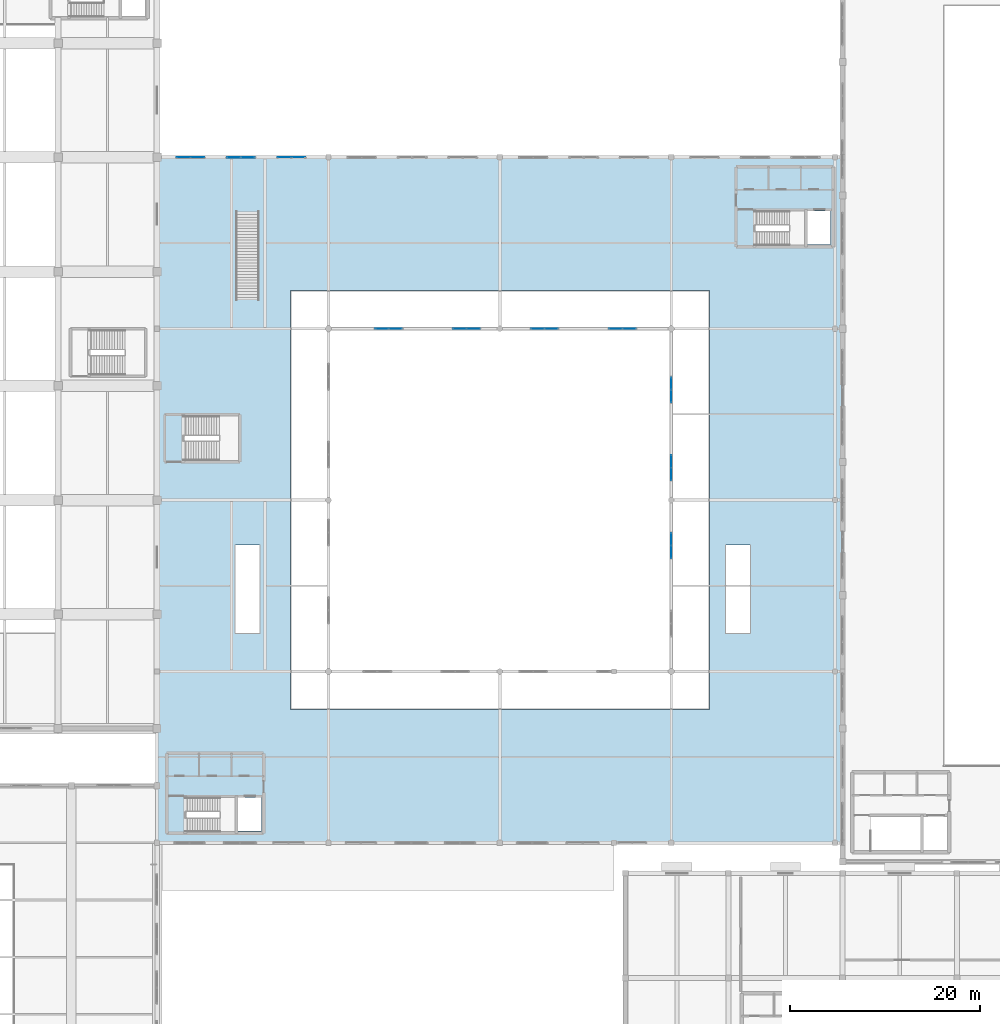
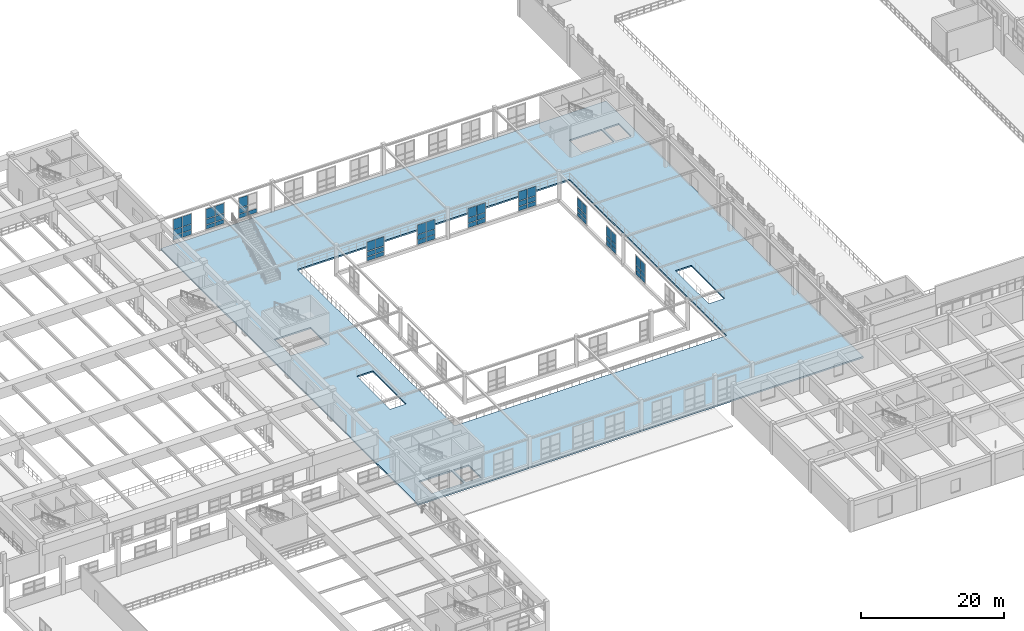
# One storey, part 160 of 197: 58 plates, 1 slab, 10 elements without a shape of their own.
"""IFC4 building model written with IfcOpenShell, lengths in metres."""

from ifc_helpers import new_model, si_unit, derived_unit, direction, frame, origin, origin_2d, place, context, subcontext, project, spatial, polyline, rectangle, outline, extrude, material, layer, layer_set, type_object, element, aggregate, save


model = new_model("IFC4")

# Units and contexts
model_context = context("Model", 3, precision=1e-05, world=origin(), true_north=direction((0.0, 1.0)))
body_context = subcontext(model_context, "Body", "Model", "MODEL_VIEW")
ifc_project = project(units=[si_unit("LENGTHUNIT", "METRE"), si_unit("AREAUNIT", "SQUARE_METRE"), si_unit("VOLUMEUNIT", "CUBIC_METRE"), si_unit("PLANEANGLEUNIT", "RADIAN"), si_unit("MASSUNIT", "GRAM", prefix="KILO"), derived_unit("THERMALTRANSMITTANCEUNIT", [(si_unit("POWERUNIT", "WATT"), 1), (si_unit("LENGTHUNIT", "METRE"), -2), (si_unit("THERMODYNAMICTEMPERATUREUNIT", "KELVIN"), -1)])], contexts=[model_context])

# Site, building, storey
site_placement = place(None, origin())
site = spatial("IfcSite", under=ifc_project, at=site_placement, CompositionType="ELEMENT")
building_placement = place(site_placement, origin())
building = spatial("IfcBuilding", under=site, at=building_placement, Name="Almenara Railside Exhibition Hall", CompositionType="ELEMENT")
storey_placement = place(building_placement, frame((0.0, 0.0, 5.39990234375)))
storey = spatial("IfcBuildingStorey", under=building, at=storey_placement, Name="L01", CompositionType="ELEMENT", Elevation=5.39990234375)

# Curtain wall, plates
ifc_material_1 = material(Name="Bronze-anodised aluminium and low-E double glazing", Category="aluminium")
ifc_layer_1 = layer(ifc_material_1, 0.179931640625, Name="Bronze-anodised aluminium and low-E double glazing")
ifc_layer_set_1 = layer_set([ifc_layer_1], Name="Bronze-anodised aluminium and low-E double glazing")
curtain_wall_type_1 = type_object("IfcCurtainWallType", Name="Courtyard South Galeria Curtain Wall 2700x3400", PredefinedType="NOTDEFINED", material=ifc_layer_set_1)
curtain_wall_1_placement = place(storey_placement, origin())
curtain_wall_1 = element("IfcCurtainWall", 1, at=curtain_wall_1_placement, inside=storey, type_object=curtain_wall_type_1, Name="Curtain wall CW-CY3-150", PredefinedType="NOTDEFINED")
ifc_material_2 = material(Name="Solar-control acoustic laminated glazing", Category="glass")
ifc_layer_2 = layer(ifc_material_2, 0.031982421875, Name="Solar-control acoustic laminated glazing")
ifc_layer_set_2 = layer_set([ifc_layer_2], Name="Solar-control acoustic laminated glazing")
plate_type_1 = type_object("IfcPlateType", Name="Acoustic Low-E Double Glazing Panel 32mm", PredefinedType="CURTAIN_PANEL", material=ifc_layer_set_2)
plate_1_placement = place(storey_placement, frame((120.0, 74.734130859375, 0.674072265625), z_axis=(0.0, 0.0, 1.0), x_axis=(0.0, 1.0, 0.0)))
plate_1 = element("IfcPlate", 2, at=plate_1_placement, type_object=plate_type_1, Name="CW-CY3-150 panel 1.1", PredefinedType="CURTAIN_PANEL", context=body_context, shape_type="SweptSolid", body=[
    extrude(rectangle(XDim=1.283447265625, YDim=0.031982421875, at=origin_2d()), origin(), (0.0, 0.0, 1.0), 0.7470703125),
])
plate_2_placement = place(storey_placement, frame((120.0, 74.734130859375, 1.47900390625), z_axis=(0.0, 0.0, 1.0), x_axis=(0.0, 1.0, 0.0)))
plate_2 = element("IfcPlate", 3, at=plate_2_placement, type_object=plate_type_1, Name="CW-CY3-150 panel 1.2", PredefinedType="CURTAIN_PANEL", context=body_context, shape_type="SweptSolid", body=[
    extrude(rectangle(XDim=1.283447265625, YDim=0.031982421875, at=origin_2d()), origin(), (0.0, 0.0, 1.0), 0.7919921875),
])
plate_3_placement = place(storey_placement, frame((120.0, 74.734130859375, 2.3291015625), z_axis=(0.0, 0.0, 1.0), x_axis=(0.0, 1.0, 0.0)))
plate_3 = element("IfcPlate", 4, at=plate_3_placement, type_object=plate_type_1, Name="CW-CY3-150 panel 1.3", PredefinedType="CURTAIN_PANEL", context=body_context, shape_type="SweptSolid", body=[
    extrude(rectangle(XDim=1.283447265625, YDim=0.031982421875, at=origin_2d()), origin(), (0.0, 0.0, 1.0), 1.596923828125),
])
plate_4_placement = place(storey_placement, frame((120.0, 76.056640625, 0.674072265625), z_axis=(0.0, 0.0, 1.0), x_axis=(0.0, 1.0, 0.0)))
plate_4 = element("IfcPlate", 5, at=plate_4_placement, type_object=plate_type_1, Name="CW-CY3-150 panel 2.1", PredefinedType="CURTAIN_PANEL", context=body_context, shape_type="SweptSolid", body=[
    extrude(rectangle(XDim=1.283447265625, YDim=0.031982421875, at=origin_2d()), origin(), (0.0, 0.0, 1.0), 0.7470703125),
])
plate_5_placement = place(storey_placement, frame((120.0, 76.056640625, 1.47900390625), z_axis=(0.0, 0.0, 1.0), x_axis=(0.0, 1.0, 0.0)))
plate_5 = element("IfcPlate", 6, at=plate_5_placement, type_object=plate_type_1, Name="CW-CY3-150 panel 2.2", PredefinedType="CURTAIN_PANEL", context=body_context, shape_type="SweptSolid", body=[
    extrude(rectangle(XDim=1.283447265625, YDim=0.031982421875, at=origin_2d()), origin(), (0.0, 0.0, 1.0), 0.7919921875),
])
plate_6_placement = place(storey_placement, frame((120.0, 76.056640625, 2.3291015625), z_axis=(0.0, 0.0, 1.0), x_axis=(0.0, 1.0, 0.0)))
plate_6 = element("IfcPlate", 7, at=plate_6_placement, type_object=plate_type_1, Name="CW-CY3-150 panel 2.3", PredefinedType="CURTAIN_PANEL", context=body_context, shape_type="SweptSolid", body=[
    extrude(rectangle(XDim=1.283447265625, YDim=0.031982421875, at=origin_2d()), origin(), (0.0, 0.0, 1.0), 1.596923828125),
])
aggregate(curtain_wall_1, [plate_1, plate_2, plate_3, plate_4, plate_5, plate_6])

ifc_layer_3 = layer(ifc_material_1, 0.179931640625, Name="Bronze-anodised aluminium and low-E double glazing")
ifc_layer_set_3 = layer_set([ifc_layer_3], Name="Bronze-anodised aluminium and low-E double glazing")
curtain_wall_type_2 = type_object("IfcCurtainWallType", Name="Courtyard East Galeria Curtain Wall 2900x3500", PredefinedType="NOTDEFINED", material=ifc_layer_set_3)
curtain_wall_2_placement = place(storey_placement, origin())
curtain_wall_2 = element("IfcCurtainWall", 8, at=curtain_wall_2_placement, inside=storey, type_object=curtain_wall_type_2, Name="Curtain wall CW-CY2-155", PredefinedType="NOTDEFINED")
plate_7_placement = place(storey_placement, frame((91.0302734375, 90.0, 0.744140625), z_axis=(0.0, 0.0, 1.0), x_axis=(-1.0, 0.0, 0.0)))
plate_7 = element("IfcPlate", 9, at=plate_7_placement, type_object=plate_type_1, Name="CW-CY2-155 panel 1.1", PredefinedType="CURTAIN_PANEL", context=body_context, shape_type="SweptSolid", body=[
    extrude(rectangle(XDim=1.361083984375, YDim=0.031982421875, at=origin_2d()), origin(), (0.0, 0.0, 1.0), 0.64208984375),
])
plate_8_placement = place(storey_placement, frame((91.0302734375, 90.0, 1.51416015625), z_axis=(0.0, 0.0, 1.0), x_axis=(-1.0, 0.0, 0.0)))
plate_8 = element("IfcPlate", 10, at=plate_8_placement, type_object=plate_type_1, Name="CW-CY2-155 panel 1.2", PredefinedType="CURTAIN_PANEL", context=body_context, shape_type="SweptSolid", body=[
    extrude(rectangle(XDim=1.361083984375, YDim=0.031982421875, at=origin_2d()), origin(), (0.0, 0.0, 1.0), 0.77197265625),
])
plate_9_placement = place(storey_placement, frame((91.0302734375, 90.0, 2.4140625), z_axis=(0.0, 0.0, 1.0), x_axis=(-1.0, 0.0, 0.0)))
plate_9 = element("IfcPlate", 11, at=plate_9_placement, type_object=plate_type_1, Name="CW-CY2-155 panel 1.3", PredefinedType="CURTAIN_PANEL", context=body_context, shape_type="SweptSolid", body=[
    extrude(rectangle(XDim=1.361083984375, YDim=0.031982421875, at=origin_2d()), origin(), (0.0, 0.0, 1.0), 1.5419921875),
])
plate_10_placement = place(storey_placement, frame((89.615234375, 90.0, 0.744140625), z_axis=(0.0, 0.0, 1.0), x_axis=(-1.0, 0.0, 0.0)))
plate_10 = element("IfcPlate", 12, at=plate_10_placement, type_object=plate_type_1, Name="CW-CY2-155 panel 2.1", PredefinedType="CURTAIN_PANEL", context=body_context, shape_type="SweptSolid", body=[
    extrude(rectangle(XDim=1.361083984375, YDim=0.031982421875, at=origin_2d()), origin(), (0.0, 0.0, 1.0), 0.64208984375),
])
plate_11_placement = place(storey_placement, frame((89.615234375, 90.0, 1.51416015625), z_axis=(0.0, 0.0, 1.0), x_axis=(-1.0, 0.0, 0.0)))
plate_11 = element("IfcPlate", 13, at=plate_11_placement, type_object=plate_type_1, Name="CW-CY2-155 panel 2.2", PredefinedType="CURTAIN_PANEL", context=body_context, shape_type="SweptSolid", body=[
    extrude(rectangle(XDim=1.361083984375, YDim=0.031982421875, at=origin_2d()), origin(), (0.0, 0.0, 1.0), 0.77197265625),
])
plate_12_placement = place(storey_placement, frame((89.615234375, 90.0, 2.4140625), z_axis=(0.0, 0.0, 1.0), x_axis=(-1.0, 0.0, 0.0)))
plate_12 = element("IfcPlate", 14, at=plate_12_placement, type_object=plate_type_1, Name="CW-CY2-155 panel 2.3", PredefinedType="CURTAIN_PANEL", context=body_context, shape_type="SweptSolid", body=[
    extrude(rectangle(XDim=1.361083984375, YDim=0.031982421875, at=origin_2d()), origin(), (0.0, 0.0, 1.0), 1.5419921875),
])
aggregate(curtain_wall_2, [plate_7, plate_8, plate_9, plate_10, plate_11, plate_12])

# Slab
ifc_material_3 = material(Name="Concrete C35/45", Category="concrete")
ifc_layer_4 = layer(ifc_material_3, 0.260009765625, Name="Concrete C35/45")
ifc_layer_set_4 = layer_set([ifc_layer_4], Name="Concrete C35/45")
slab_type = type_object("IfcSlabType", Name="Congress Suspended Slab 260mm C35/45", PredefinedType="FLOOR", material=ifc_layer_set_4)
slab_placement = place(storey_placement, frame((0.0, 0.0, -0.260009765625)))
element("IfcSlab", 15, at=slab_placement, inside=storey, type_object=slab_type, Name="Upper Concourse ring 014", PredefinedType="FLOOR", context=body_context, shape_type="SweptSolid", body=[
    extrude(outline(polyline([(66.0, 36.0), (138.0, 36.0), (138.0, 108.0), (66.0, 108.0), (66.0, 36.0)]), holes=[polyline([(68.95068359375, 37.25), (74.199951171875, 37.25), (74.199951171875, 40.739990234375), (68.95068359375, 40.739990234375), (68.95068359375, 37.25)]), polyline([(74.5, 37.25), (76.949951171875, 37.25), (76.949951171875, 40.739990234375), (74.5, 40.739990234375), (74.5, 37.25)]), polyline([(128.750732421875, 98.85009765625), (134.0, 98.85009765625), (134.0, 102.340087890625), (128.750732421875, 102.340087890625), (128.750732421875, 98.85009765625)]), polyline([(134.300048828125, 98.85009765625), (136.75, 98.85009765625), (136.75, 102.340087890625), (134.300048828125, 102.340087890625), (134.300048828125, 98.85009765625)]), polyline([(80.0, 50.0), (124.0, 50.0), (124.0, 94.0), (80.0, 94.0), (80.0, 50.0)]), polyline([(74.199951171875, 58.0), (76.800048828125, 58.0), (76.800048828125, 67.29931640625), (74.199951171875, 67.29931640625), (74.199951171875, 58.0)]), polyline([(125.699951171875, 58.0), (128.300048828125, 58.0), (128.300048828125, 67.29931640625), (125.699951171875, 67.29931640625), (125.699951171875, 58.0)]), polyline([(68.750732421875, 76.25), (74.550048828125, 76.25), (74.550048828125, 80.85009765625), (68.750732421875, 80.85009765625), (68.750732421875, 76.25)])]), origin(), (0.0, 0.0, 1.0), 0.260009765625),
])

# Curtain wall, plates
ifc_layer_5 = layer(ifc_material_1, 0.179931640625, Name="Bronze-anodised aluminium and low-E double glazing")
ifc_layer_set_5 = layer_set([ifc_layer_5], Name="Bronze-anodised aluminium and low-E double glazing")
curtain_wall_type_3 = type_object("IfcCurtainWallType", Name="Courtyard North Galeria Curtain Wall 3000x3700", PredefinedType="NOTDEFINED", material=ifc_layer_set_5)
curtain_wall_3_placement = place(storey_placement, origin())
curtain_wall_3 = element("IfcCurtainWall", 16, at=curtain_wall_3_placement, inside=storey, type_object=curtain_wall_type_3, Name="Curtain wall CW-CY1-122", PredefinedType="NOTDEFINED")
ifc_material_4 = material(Name="Clear low-E laminated double glazing", Category="glass")
ifc_layer_6 = layer(ifc_material_4, 0.02392578125, Name="Clear low-E laminated double glazing")
ifc_layer_set_6 = layer_set([ifc_layer_6], Name="Clear low-E laminated double glazing")
plate_type_2 = type_object("IfcPlateType", Name="Courtyard Clear Double Glazing Panel 24mm", PredefinedType="CURTAIN_PANEL", material=ifc_layer_set_6)
plate_13_placement = place(storey_placement, frame((68.763671875, 108.0, 0.674072265625), z_axis=(0.0, 0.0, 1.0), x_axis=(1.0, 0.0, 0.0)))
plate_13 = element("IfcPlate", 17, at=plate_13_placement, type_object=plate_type_2, Name="CW-CY1-122 panel 1.1", PredefinedType="CURTAIN_PANEL", context=body_context, shape_type="SweptSolid", body=[
    extrude(rectangle(XDim=1.43359375, YDim=0.02392578125, at=origin_2d()), origin(), (0.0, 0.0, 1.0), 0.7470703125),
])
plate_14_placement = place(storey_placement, frame((68.763671875, 108.0, 1.479248046875), z_axis=(0.0, 0.0, 1.0), x_axis=(1.0, 0.0, 0.0)))
plate_14 = element("IfcPlate", 18, at=plate_14_placement, type_object=plate_type_2, Name="CW-CY1-122 panel 1.2", PredefinedType="CURTAIN_PANEL", context=body_context, shape_type="SweptSolid", body=[
    extrude(rectangle(XDim=1.43359375, YDim=0.02392578125, at=origin_2d()), origin(), (0.0, 0.0, 1.0), 0.94189453125),
])
plate_15_placement = place(storey_placement, frame((68.763671875, 108.0, 2.47900390625), z_axis=(0.0, 0.0, 1.0), x_axis=(1.0, 0.0, 0.0)))
plate_15 = element("IfcPlate", 19, at=plate_15_placement, type_object=plate_type_2, Name="CW-CY1-122 panel 1.3", PredefinedType="CURTAIN_PANEL", context=body_context, shape_type="SweptSolid", body=[
    extrude(rectangle(XDim=1.43359375, YDim=0.02392578125, at=origin_2d()), origin(), (0.0, 0.0, 1.0), 1.7470703125),
])
plate_16_placement = place(storey_placement, frame((70.236328125, 108.0, 0.674072265625), z_axis=(0.0, 0.0, 1.0), x_axis=(1.0, 0.0, 0.0)))
plate_16 = element("IfcPlate", 20, at=plate_16_placement, type_object=plate_type_2, Name="CW-CY1-122 panel 2.1", PredefinedType="CURTAIN_PANEL", context=body_context, shape_type="SweptSolid", body=[
    extrude(rectangle(XDim=1.43359375, YDim=0.02392578125, at=origin_2d()), origin(), (0.0, 0.0, 1.0), 0.7470703125),
])
plate_17_placement = place(storey_placement, frame((70.236328125, 108.0, 1.479248046875), z_axis=(0.0, 0.0, 1.0), x_axis=(1.0, 0.0, 0.0)))
plate_17 = element("IfcPlate", 21, at=plate_17_placement, type_object=plate_type_2, Name="CW-CY1-122 panel 2.2", PredefinedType="CURTAIN_PANEL", context=body_context, shape_type="SweptSolid", body=[
    extrude(rectangle(XDim=1.43359375, YDim=0.02392578125, at=origin_2d()), origin(), (0.0, 0.0, 1.0), 0.94189453125),
])
plate_18_placement = place(storey_placement, frame((70.236328125, 108.0, 2.47900390625), z_axis=(0.0, 0.0, 1.0), x_axis=(1.0, 0.0, 0.0)))
plate_18 = element("IfcPlate", 22, at=plate_18_placement, type_object=plate_type_2, Name="CW-CY1-122 panel 2.3", PredefinedType="CURTAIN_PANEL", context=body_context, shape_type="SweptSolid", body=[
    extrude(rectangle(XDim=1.43359375, YDim=0.02392578125, at=origin_2d()), origin(), (0.0, 0.0, 1.0), 1.7470703125),
])
aggregate(curtain_wall_3, [plate_13, plate_14, plate_15, plate_16, plate_17, plate_18])

curtain_wall_4_placement = place(storey_placement, origin())
curtain_wall_4 = element("IfcCurtainWall", 23, at=curtain_wall_4_placement, inside=storey, type_object=curtain_wall_type_2, Name="Curtain wall CW-CY2-152", PredefinedType="NOTDEFINED")
plate_19_placement = place(storey_placement, frame((115.576904296875, 90.0, 0.72412109375), z_axis=(0.0, 0.0, 1.0), x_axis=(-1.0, 0.0, 0.0)))
plate_19 = element("IfcPlate", 24, at=plate_19_placement, type_object=plate_type_2, Name="CW-CY2-152 panel 1.1", PredefinedType="CURTAIN_PANEL", context=body_context, shape_type="SweptSolid", body=[
    extrude(rectangle(XDim=1.368408203125, YDim=0.02392578125, at=origin_2d()), origin(), (0.0, 0.0, 1.0), 0.672119140625),
])
plate_20_placement = place(storey_placement, frame((115.576904296875, 90.0, 1.504150390625), z_axis=(0.0, 0.0, 1.0), x_axis=(-1.0, 0.0, 0.0)))
plate_20 = element("IfcPlate", 25, at=plate_20_placement, type_object=plate_type_2, Name="CW-CY2-152 panel 1.2", PredefinedType="CURTAIN_PANEL", context=body_context, shape_type="SweptSolid", body=[
    extrude(rectangle(XDim=1.368408203125, YDim=0.02392578125, at=origin_2d()), origin(), (0.0, 0.0, 1.0), 0.7919921875),
])
plate_21_placement = place(storey_placement, frame((115.576904296875, 90.0, 2.404296875), z_axis=(0.0, 0.0, 1.0), x_axis=(-1.0, 0.0, 0.0)))
plate_21 = element("IfcPlate", 26, at=plate_21_placement, type_object=plate_type_2, Name="CW-CY2-152 panel 1.3", PredefinedType="CURTAIN_PANEL", context=body_context, shape_type="SweptSolid", body=[
    extrude(rectangle(XDim=1.368408203125, YDim=0.02392578125, at=origin_2d()), origin(), (0.0, 0.0, 1.0), 1.572021484375),
])
plate_22_placement = place(storey_placement, frame((114.159423828125, 90.0, 0.72412109375), z_axis=(0.0, 0.0, 1.0), x_axis=(-1.0, 0.0, 0.0)))
plate_22 = element("IfcPlate", 27, at=plate_22_placement, type_object=plate_type_2, Name="CW-CY2-152 panel 2.1", PredefinedType="CURTAIN_PANEL", context=body_context, shape_type="SweptSolid", body=[
    extrude(rectangle(XDim=1.368408203125, YDim=0.02392578125, at=origin_2d()), origin(), (0.0, 0.0, 1.0), 0.672119140625),
])
plate_23_placement = place(storey_placement, frame((114.159423828125, 90.0, 1.504150390625), z_axis=(0.0, 0.0, 1.0), x_axis=(-1.0, 0.0, 0.0)))
plate_23 = element("IfcPlate", 28, at=plate_23_placement, type_object=plate_type_2, Name="CW-CY2-152 panel 2.2", PredefinedType="CURTAIN_PANEL", context=body_context, shape_type="SweptSolid", body=[
    extrude(rectangle(XDim=1.368408203125, YDim=0.02392578125, at=origin_2d()), origin(), (0.0, 0.0, 1.0), 0.7919921875),
])
plate_24_placement = place(storey_placement, frame((114.159423828125, 90.0, 2.404296875), z_axis=(0.0, 0.0, 1.0), x_axis=(-1.0, 0.0, 0.0)))
plate_24 = element("IfcPlate", 29, at=plate_24_placement, type_object=plate_type_2, Name="CW-CY2-152 panel 2.3", PredefinedType="CURTAIN_PANEL", context=body_context, shape_type="SweptSolid", body=[
    extrude(rectangle(XDim=1.368408203125, YDim=0.02392578125, at=origin_2d()), origin(), (0.0, 0.0, 1.0), 1.572021484375),
])
aggregate(curtain_wall_4, [plate_19, plate_20, plate_21, plate_22, plate_23, plate_24])

curtain_wall_5_placement = place(storey_placement, origin())
curtain_wall_5 = element("IfcCurtainWall", 30, at=curtain_wall_5_placement, inside=storey, type_object=curtain_wall_type_3, Name="Curtain wall CW-CY1-123", PredefinedType="NOTDEFINED")
ifc_material_5 = material(Name="Bronze-anodised insulated aluminium spandrel", Category="aluminium")
ifc_layer_7 = layer(ifc_material_5, 0.0400390625, Name="Bronze-anodised insulated aluminium spandrel")
ifc_layer_set_7 = layer_set([ifc_layer_7], Name="Bronze-anodised insulated aluminium spandrel")
plate_type_3 = type_object("IfcPlateType", Name="Insulated Bronze Spandrel Panel 40mm", PredefinedType="CURTAIN_PANEL", material=ifc_layer_set_7)
plate_25_placement = place(storey_placement, frame((74.0673828125, 108.0, 0.744140625), z_axis=(0.0, 0.0, 1.0), x_axis=(1.0, 0.0, 0.0)))
plate_25 = element("IfcPlate", 31, at=plate_25_placement, type_object=plate_type_3, Name="CW-CY1-123 panel 1.1", PredefinedType="CURTAIN_PANEL", context=body_context, shape_type="SweptSolid", body=[
    extrude(rectangle(XDim=1.410888671875, YDim=0.0400390625, at=origin_2d()), origin(), (0.0, 0.0, 1.0), 0.64208984375),
])
plate_26_placement = place(storey_placement, frame((74.0673828125, 108.0, 1.51416015625), z_axis=(0.0, 0.0, 1.0), x_axis=(1.0, 0.0, 0.0)))
plate_26 = element("IfcPlate", 32, at=plate_26_placement, type_object=plate_type_3, Name="CW-CY1-123 panel 1.2", PredefinedType="CURTAIN_PANEL", context=body_context, shape_type="SweptSolid", body=[
    extrude(rectangle(XDim=1.410888671875, YDim=0.0400390625, at=origin_2d()), origin(), (0.0, 0.0, 1.0), 0.8720703125),
])
plate_27_placement = place(storey_placement, frame((74.0673828125, 108.0, 2.51416015625), z_axis=(0.0, 0.0, 1.0), x_axis=(1.0, 0.0, 0.0)))
plate_27 = element("IfcPlate", 33, at=plate_27_placement, type_object=plate_type_3, Name="CW-CY1-123 panel 1.3", PredefinedType="CURTAIN_PANEL", context=body_context, shape_type="SweptSolid", body=[
    extrude(rectangle(XDim=1.410888671875, YDim=0.0400390625, at=origin_2d()), origin(), (0.0, 0.0, 1.0), 1.64208984375),
])
plate_28_placement = place(storey_placement, frame((75.532470703125, 108.0, 0.744140625), z_axis=(0.0, 0.0, 1.0), x_axis=(1.0, 0.0, 0.0)))
plate_28 = element("IfcPlate", 34, at=plate_28_placement, type_object=plate_type_3, Name="CW-CY1-123 panel 2.1", PredefinedType="CURTAIN_PANEL", context=body_context, shape_type="SweptSolid", body=[
    extrude(rectangle(XDim=1.410888671875, YDim=0.0400390625, at=origin_2d()), origin(), (0.0, 0.0, 1.0), 0.64208984375),
])
plate_29_placement = place(storey_placement, frame((75.532470703125, 108.0, 1.51416015625), z_axis=(0.0, 0.0, 1.0), x_axis=(1.0, 0.0, 0.0)))
plate_29 = element("IfcPlate", 35, at=plate_29_placement, type_object=plate_type_3, Name="CW-CY1-123 panel 2.2", PredefinedType="CURTAIN_PANEL", context=body_context, shape_type="SweptSolid", body=[
    extrude(rectangle(XDim=1.410888671875, YDim=0.0400390625, at=origin_2d()), origin(), (0.0, 0.0, 1.0), 0.8720703125),
])
plate_30_placement = place(storey_placement, frame((75.532470703125, 108.0, 2.51416015625), z_axis=(0.0, 0.0, 1.0), x_axis=(1.0, 0.0, 0.0)))
plate_30 = element("IfcPlate", 36, at=plate_30_placement, type_object=plate_type_3, Name="CW-CY1-123 panel 2.3", PredefinedType="CURTAIN_PANEL", context=body_context, shape_type="SweptSolid", body=[
    extrude(rectangle(XDim=1.410888671875, YDim=0.0400390625, at=origin_2d()), origin(), (0.0, 0.0, 1.0), 1.64208984375),
])
aggregate(curtain_wall_5, [plate_25, plate_26, plate_27, plate_28, plate_29, plate_30])

curtain_wall_6_placement = place(storey_placement, origin())
curtain_wall_6 = element("IfcCurtainWall", 37, at=curtain_wall_6_placement, inside=storey, type_object=curtain_wall_type_2, Name="Curtain wall CW-CY2-153", PredefinedType="NOTDEFINED")
plate_31_placement = place(storey_placement, frame((107.396484375, 90.0, 0.69384765625), z_axis=(0.0, 0.0, 1.0), x_axis=(-1.0, 0.0, 0.0)))
plate_31 = element("IfcPlate", 38, at=plate_31_placement, type_object=plate_type_3, Name="CW-CY2-153 panel 1.1", PredefinedType="CURTAIN_PANEL", context=body_context, shape_type="SweptSolid", body=[
    extrude(rectangle(XDim=1.3759765625, YDim=0.0400390625, at=origin_2d()), origin(), (0.0, 0.0, 1.0), 0.717041015625),
])
plate_32_placement = place(storey_placement, frame((107.396484375, 90.0, 1.4892578125), z_axis=(0.0, 0.0, 1.0), x_axis=(-1.0, 0.0, 0.0)))
plate_32 = element("IfcPlate", 39, at=plate_32_placement, type_object=plate_type_3, Name="CW-CY2-153 panel 1.2", PredefinedType="CURTAIN_PANEL", context=body_context, shape_type="SweptSolid", body=[
    extrude(rectangle(XDim=1.3759765625, YDim=0.0400390625, at=origin_2d()), origin(), (0.0, 0.0, 1.0), 0.822021484375),
])
plate_33_placement = place(storey_placement, frame((107.396484375, 90.0, 2.38916015625), z_axis=(0.0, 0.0, 1.0), x_axis=(-1.0, 0.0, 0.0)))
plate_33 = element("IfcPlate", 40, at=plate_33_placement, type_object=plate_type_3, Name="CW-CY2-153 panel 1.3", PredefinedType="CURTAIN_PANEL", context=body_context, shape_type="SweptSolid", body=[
    extrude(rectangle(XDim=1.3759765625, YDim=0.0400390625, at=origin_2d()), origin(), (0.0, 0.0, 1.0), 1.616943359375),
])
plate_34_placement = place(storey_placement, frame((105.976318359375, 90.0, 0.69384765625), z_axis=(0.0, 0.0, 1.0), x_axis=(-1.0, 0.0, 0.0)))
plate_34 = element("IfcPlate", 41, at=plate_34_placement, type_object=plate_type_3, Name="CW-CY2-153 panel 2.1", PredefinedType="CURTAIN_PANEL", context=body_context, shape_type="SweptSolid", body=[
    extrude(rectangle(XDim=1.3759765625, YDim=0.0400390625, at=origin_2d()), origin(), (0.0, 0.0, 1.0), 0.717041015625),
])
plate_35_placement = place(storey_placement, frame((105.976318359375, 90.0, 1.4892578125), z_axis=(0.0, 0.0, 1.0), x_axis=(-1.0, 0.0, 0.0)))
plate_35 = element("IfcPlate", 42, at=plate_35_placement, type_object=plate_type_3, Name="CW-CY2-153 panel 2.2", PredefinedType="CURTAIN_PANEL", context=body_context, shape_type="SweptSolid", body=[
    extrude(rectangle(XDim=1.3759765625, YDim=0.0400390625, at=origin_2d()), origin(), (0.0, 0.0, 1.0), 0.822021484375),
])
plate_36_placement = place(storey_placement, frame((105.976318359375, 90.0, 2.38916015625), z_axis=(0.0, 0.0, 1.0), x_axis=(-1.0, 0.0, 0.0)))
plate_36 = element("IfcPlate", 43, at=plate_36_placement, type_object=plate_type_3, Name="CW-CY2-153 panel 2.3", PredefinedType="CURTAIN_PANEL", context=body_context, shape_type="SweptSolid", body=[
    extrude(rectangle(XDim=1.3759765625, YDim=0.0400390625, at=origin_2d()), origin(), (0.0, 0.0, 1.0), 1.616943359375),
])
aggregate(curtain_wall_6, [plate_31, plate_32, plate_33, plate_34, plate_35, plate_36])

curtain_wall_7_placement = place(storey_placement, origin())
curtain_wall_7 = element("IfcCurtainWall", 44, at=curtain_wall_7_placement, inside=storey, type_object=curtain_wall_type_3, Name="Curtain wall CW-CY1-124", PredefinedType="NOTDEFINED")
ifc_layer_8 = layer(ifc_material_5, 0.034912109375, Name="Bronze-anodised insulated aluminium spandrel")
ifc_layer_set_8 = layer_set([ifc_layer_8], Name="Bronze-anodised insulated aluminium spandrel")
plate_type_4 = type_object("IfcPlateType", Name="Insulated Stucco-Tone Spandrel Panel 35mm", PredefinedType="CURTAIN_PANEL", material=ifc_layer_set_8)
plate_37_placement = place(storey_placement, frame((79.3662109375, 108.0, 0.72412109375), z_axis=(0.0, 0.0, 1.0), x_axis=(1.0, 0.0, 0.0)))
plate_37 = element("IfcPlate", 45, at=plate_37_placement, type_object=plate_type_4, Name="CW-CY1-124 panel 1.1", PredefinedType="CURTAIN_PANEL", context=body_context, shape_type="SweptSolid", body=[
    extrude(rectangle(XDim=1.41845703125, YDim=0.034912109375, at=origin_2d()), origin(), (0.0, 0.0, 1.0), 0.672119140625),
])
plate_38_placement = place(storey_placement, frame((79.3662109375, 108.0, 1.504150390625), z_axis=(0.0, 0.0, 1.0), x_axis=(1.0, 0.0, 0.0)))
plate_38 = element("IfcPlate", 46, at=plate_38_placement, type_object=plate_type_4, Name="CW-CY1-124 panel 1.2", PredefinedType="CURTAIN_PANEL", context=body_context, shape_type="SweptSolid", body=[
    extrude(rectangle(XDim=1.41845703125, YDim=0.034912109375, at=origin_2d()), origin(), (0.0, 0.0, 1.0), 0.89208984375),
])
plate_39_placement = place(storey_placement, frame((79.3662109375, 108.0, 2.50390625), z_axis=(0.0, 0.0, 1.0), x_axis=(1.0, 0.0, 0.0)))
plate_39 = element("IfcPlate", 47, at=plate_39_placement, type_object=plate_type_4, Name="CW-CY1-124 panel 1.3", PredefinedType="CURTAIN_PANEL", context=body_context, shape_type="SweptSolid", body=[
    extrude(rectangle(XDim=1.41845703125, YDim=0.034912109375, at=origin_2d()), origin(), (0.0, 0.0, 1.0), 1.672119140625),
])
plate_40_placement = place(storey_placement, frame((80.833740234375, 108.0, 0.72412109375), z_axis=(0.0, 0.0, 1.0), x_axis=(1.0, 0.0, 0.0)))
plate_40 = element("IfcPlate", 48, at=plate_40_placement, type_object=plate_type_4, Name="CW-CY1-124 panel 2.1", PredefinedType="CURTAIN_PANEL", context=body_context, shape_type="SweptSolid", body=[
    extrude(rectangle(XDim=1.41845703125, YDim=0.034912109375, at=origin_2d()), origin(), (0.0, 0.0, 1.0), 0.672119140625),
])
aggregate(curtain_wall_7, [plate_37, plate_38, plate_39, plate_40])

curtain_wall_8_placement = place(storey_placement, origin())
curtain_wall_8 = element("IfcCurtainWall", 49, at=curtain_wall_8_placement, inside=storey, type_object=curtain_wall_type_1, Name="Curtain wall CW-CY3-149", PredefinedType="NOTDEFINED")
plate_41_placement = place(storey_placement, frame((120.0, 66.5537109375, 0.69384765625), z_axis=(0.0, 0.0, 1.0), x_axis=(0.0, 1.0, 0.0)))
plate_41 = element("IfcPlate", 50, at=plate_41_placement, type_object=plate_type_4, Name="CW-CY3-149 panel 1.1", PredefinedType="CURTAIN_PANEL", context=body_context, shape_type="SweptSolid", body=[
    extrude(rectangle(XDim=1.27587890625, YDim=0.034912109375, at=origin_2d()), origin(), (0.0, 0.0, 1.0), 0.717041015625),
])
plate_42_placement = place(storey_placement, frame((120.0, 66.5537109375, 1.489013671875), z_axis=(0.0, 0.0, 1.0), x_axis=(0.0, 1.0, 0.0)))
plate_42 = element("IfcPlate", 51, at=plate_42_placement, type_object=plate_type_4, Name="CW-CY3-149 panel 1.2", PredefinedType="CURTAIN_PANEL", context=body_context, shape_type="SweptSolid", body=[
    extrude(rectangle(XDim=1.27587890625, YDim=0.034912109375, at=origin_2d()), origin(), (0.0, 0.0, 1.0), 0.77197265625),
])
plate_43_placement = place(storey_placement, frame((120.0, 66.5537109375, 2.339111328125), z_axis=(0.0, 0.0, 1.0), x_axis=(0.0, 1.0, 0.0)))
plate_43 = element("IfcPlate", 52, at=plate_43_placement, type_object=plate_type_4, Name="CW-CY3-149 panel 1.3", PredefinedType="CURTAIN_PANEL", context=body_context, shape_type="SweptSolid", body=[
    extrude(rectangle(XDim=1.27587890625, YDim=0.034912109375, at=origin_2d()), origin(), (0.0, 0.0, 1.0), 1.56689453125),
])
plate_44_placement = place(storey_placement, frame((120.0, 67.87353515625, 0.69384765625), z_axis=(0.0, 0.0, 1.0), x_axis=(0.0, 1.0, 0.0)))
plate_44 = element("IfcPlate", 53, at=plate_44_placement, type_object=plate_type_4, Name="CW-CY3-149 panel 2.1", PredefinedType="CURTAIN_PANEL", context=body_context, shape_type="SweptSolid", body=[
    extrude(rectangle(XDim=1.27587890625, YDim=0.034912109375, at=origin_2d()), origin(), (0.0, 0.0, 1.0), 0.717041015625),
])
plate_45_placement = place(storey_placement, frame((120.0, 67.87353515625, 1.489013671875), z_axis=(0.0, 0.0, 1.0), x_axis=(0.0, 1.0, 0.0)))
plate_45 = element("IfcPlate", 54, at=plate_45_placement, type_object=plate_type_4, Name="CW-CY3-149 panel 2.2", PredefinedType="CURTAIN_PANEL", context=body_context, shape_type="SweptSolid", body=[
    extrude(rectangle(XDim=1.27587890625, YDim=0.034912109375, at=origin_2d()), origin(), (0.0, 0.0, 1.0), 0.77197265625),
])
plate_46_placement = place(storey_placement, frame((120.0, 67.87353515625, 2.339111328125), z_axis=(0.0, 0.0, 1.0), x_axis=(0.0, 1.0, 0.0)))
plate_46 = element("IfcPlate", 55, at=plate_46_placement, type_object=plate_type_4, Name="CW-CY3-149 panel 2.3", PredefinedType="CURTAIN_PANEL", context=body_context, shape_type="SweptSolid", body=[
    extrude(rectangle(XDim=1.27587890625, YDim=0.034912109375, at=origin_2d()), origin(), (0.0, 0.0, 1.0), 1.56689453125),
])
aggregate(curtain_wall_8, [plate_41, plate_42, plate_43, plate_44, plate_45, plate_46])

curtain_wall_9_placement = place(storey_placement, origin())
curtain_wall_9 = element("IfcCurtainWall", 56, at=curtain_wall_9_placement, inside=storey, type_object=curtain_wall_type_2, Name="Curtain wall CW-CY2-154", PredefinedType="NOTDEFINED")
plate_47_placement = place(storey_placement, frame((99.2158203125, 90.0, 0.674072265625), z_axis=(0.0, 0.0, 1.0), x_axis=(-1.0, 0.0, 0.0)))
plate_47 = element("IfcPlate", 57, at=plate_47_placement, type_object=plate_type_4, Name="CW-CY2-154 panel 1.1", PredefinedType="CURTAIN_PANEL", context=body_context, shape_type="SweptSolid", body=[
    extrude(rectangle(XDim=1.383544921875, YDim=0.034912109375, at=origin_2d()), origin(), (0.0, 0.0, 1.0), 0.7470703125),
])
plate_48_placement = place(storey_placement, frame((99.2158203125, 90.0, 1.47900390625), z_axis=(0.0, 0.0, 1.0), x_axis=(-1.0, 0.0, 0.0)))
plate_48 = element("IfcPlate", 58, at=plate_48_placement, type_object=plate_type_4, Name="CW-CY2-154 panel 1.2", PredefinedType="CURTAIN_PANEL", context=body_context, shape_type="SweptSolid", body=[
    extrude(rectangle(XDim=1.383544921875, YDim=0.034912109375, at=origin_2d()), origin(), (0.0, 0.0, 1.0), 0.842041015625),
])
plate_49_placement = place(storey_placement, frame((99.2158203125, 90.0, 2.379150390625), z_axis=(0.0, 0.0, 1.0), x_axis=(-1.0, 0.0, 0.0)))
plate_49 = element("IfcPlate", 59, at=plate_49_placement, type_object=plate_type_4, Name="CW-CY2-154 panel 1.3", PredefinedType="CURTAIN_PANEL", context=body_context, shape_type="SweptSolid", body=[
    extrude(rectangle(XDim=1.383544921875, YDim=0.034912109375, at=origin_2d()), origin(), (0.0, 0.0, 1.0), 1.64697265625),
])
plate_50_placement = place(storey_placement, frame((97.793212890625, 90.0, 0.674072265625), z_axis=(0.0, 0.0, 1.0), x_axis=(-1.0, 0.0, 0.0)))
plate_50 = element("IfcPlate", 60, at=plate_50_placement, type_object=plate_type_4, Name="CW-CY2-154 panel 2.1", PredefinedType="CURTAIN_PANEL", context=body_context, shape_type="SweptSolid", body=[
    extrude(rectangle(XDim=1.383544921875, YDim=0.034912109375, at=origin_2d()), origin(), (0.0, 0.0, 1.0), 0.7470703125),
])
plate_51_placement = place(storey_placement, frame((97.793212890625, 90.0, 1.47900390625), z_axis=(0.0, 0.0, 1.0), x_axis=(-1.0, 0.0, 0.0)))
plate_51 = element("IfcPlate", 61, at=plate_51_placement, type_object=plate_type_4, Name="CW-CY2-154 panel 2.2", PredefinedType="CURTAIN_PANEL", context=body_context, shape_type="SweptSolid", body=[
    extrude(rectangle(XDim=1.383544921875, YDim=0.034912109375, at=origin_2d()), origin(), (0.0, 0.0, 1.0), 0.842041015625),
])
plate_52_placement = place(storey_placement, frame((97.793212890625, 90.0, 2.379150390625), z_axis=(0.0, 0.0, 1.0), x_axis=(-1.0, 0.0, 0.0)))
plate_52 = element("IfcPlate", 62, at=plate_52_placement, type_object=plate_type_4, Name="CW-CY2-154 panel 2.3", PredefinedType="CURTAIN_PANEL", context=body_context, shape_type="SweptSolid", body=[
    extrude(rectangle(XDim=1.383544921875, YDim=0.034912109375, at=origin_2d()), origin(), (0.0, 0.0, 1.0), 1.64697265625),
])
aggregate(curtain_wall_9, [plate_47, plate_48, plate_49, plate_50, plate_51, plate_52])

curtain_wall_10_placement = place(storey_placement, origin())
curtain_wall_10 = element("IfcCurtainWall", 63, at=curtain_wall_10_placement, inside=storey, type_object=curtain_wall_type_1, Name="Curtain wall CW-CY3-151", PredefinedType="NOTDEFINED")
ifc_material_6 = material(Name="Solar-control low-E laminated double glazing", Category="glass")
ifc_layer_9 = layer(ifc_material_6, 0.028076171875, Name="Solar-control low-E laminated double glazing")
ifc_layer_set_9 = layer_set([ifc_layer_9], Name="Solar-control low-E laminated double glazing")
plate_type_5 = type_object("IfcPlateType", Name="Low-E Solar Control Double Glazing Panel 28mm", PredefinedType="CURTAIN_PANEL", material=ifc_layer_set_9)
plate_53_placement = place(storey_placement, frame((120.0, 82.919921875, 0.744140625), z_axis=(0.0, 0.0, 1.0), x_axis=(0.0, 1.0, 0.0)))
plate_53 = element("IfcPlate", 64, at=plate_53_placement, type_object=plate_type_5, Name="CW-CY3-151 panel 1.1", PredefinedType="CURTAIN_PANEL", context=body_context, shape_type="SweptSolid", body=[
    extrude(rectangle(XDim=1.260986328125, YDim=0.028076171875, at=origin_2d()), origin(), (0.0, 0.0, 1.0), 0.64208984375),
])
plate_54_placement = place(storey_placement, frame((120.0, 82.919921875, 1.51416015625), z_axis=(0.0, 0.0, 1.0), x_axis=(0.0, 1.0, 0.0)))
plate_54 = element("IfcPlate", 65, at=plate_54_placement, type_object=plate_type_5, Name="CW-CY3-151 panel 1.2", PredefinedType="CURTAIN_PANEL", context=body_context, shape_type="SweptSolid", body=[
    extrude(rectangle(XDim=1.260986328125, YDim=0.028076171875, at=origin_2d()), origin(), (0.0, 0.0, 1.0), 0.721923828125),
])
plate_55_placement = place(storey_placement, frame((120.0, 82.919921875, 2.3642578125), z_axis=(0.0, 0.0, 1.0), x_axis=(0.0, 1.0, 0.0)))
plate_55 = element("IfcPlate", 66, at=plate_55_placement, type_object=plate_type_5, Name="CW-CY3-151 panel 1.3", PredefinedType="CURTAIN_PANEL", context=body_context, shape_type="SweptSolid", body=[
    extrude(rectangle(XDim=1.260986328125, YDim=0.028076171875, at=origin_2d()), origin(), (0.0, 0.0, 1.0), 1.491943359375),
])
plate_56_placement = place(storey_placement, frame((120.0, 84.23486328125, 0.744140625), z_axis=(0.0, 0.0, 1.0), x_axis=(0.0, 1.0, 0.0)))
plate_56 = element("IfcPlate", 67, at=plate_56_placement, type_object=plate_type_5, Name="CW-CY3-151 panel 2.1", PredefinedType="CURTAIN_PANEL", context=body_context, shape_type="SweptSolid", body=[
    extrude(rectangle(XDim=1.260986328125, YDim=0.028076171875, at=origin_2d()), origin(), (0.0, 0.0, 1.0), 0.64208984375),
])
plate_57_placement = place(storey_placement, frame((120.0, 84.23486328125, 1.51416015625), z_axis=(0.0, 0.0, 1.0), x_axis=(0.0, 1.0, 0.0)))
plate_57 = element("IfcPlate", 68, at=plate_57_placement, type_object=plate_type_5, Name="CW-CY3-151 panel 2.2", PredefinedType="CURTAIN_PANEL", context=body_context, shape_type="SweptSolid", body=[
    extrude(rectangle(XDim=1.260986328125, YDim=0.028076171875, at=origin_2d()), origin(), (0.0, 0.0, 1.0), 0.721923828125),
])
plate_58_placement = place(storey_placement, frame((120.0, 84.23486328125, 2.3642578125), z_axis=(0.0, 0.0, 1.0), x_axis=(0.0, 1.0, 0.0)))
plate_58 = element("IfcPlate", 69, at=plate_58_placement, type_object=plate_type_5, Name="CW-CY3-151 panel 2.3", PredefinedType="CURTAIN_PANEL", context=body_context, shape_type="SweptSolid", body=[
    extrude(rectangle(XDim=1.260986328125, YDim=0.028076171875, at=origin_2d()), origin(), (0.0, 0.0, 1.0), 1.491943359375),
])
aggregate(curtain_wall_10, [plate_53, plate_54, plate_55, plate_56, plate_57, plate_58])

save(model, "model.ifc")
